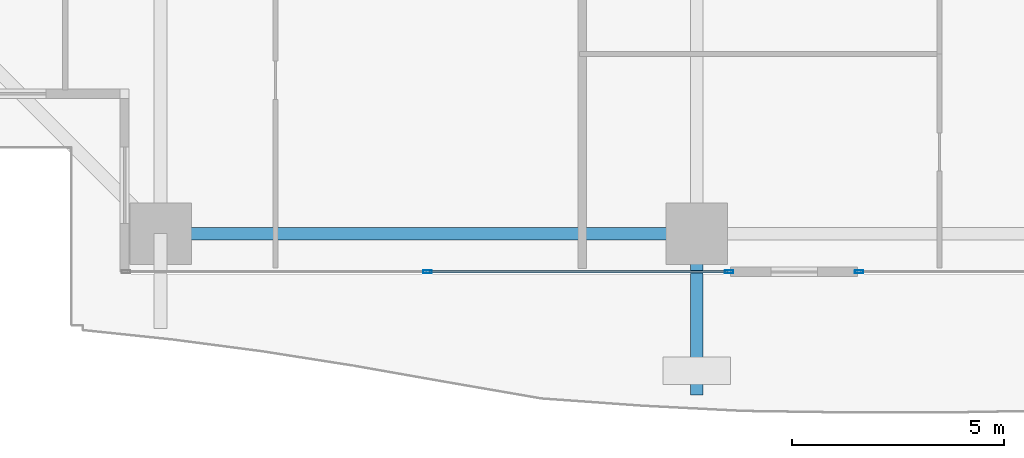
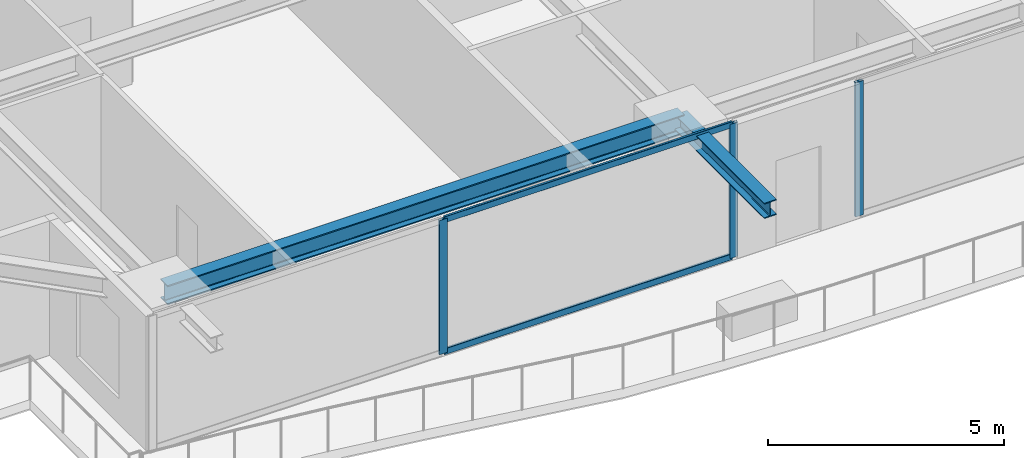
# One storey, part 5 of 41: 5 members, 2 beams, 2 elements without a shape of their own.
"""IFC4 building model written with IfcOpenShell, lengths in metres."""

from ifc_helpers import new_model, si_unit, direction, frame, origin, origin_2d, place, context, subcontext, project, spatial, hollow_rectangle, i_section, extrude, source, transform, mapped, material, layer, layer_set, material_profile, profile_set, type_object, element, aggregate, save


model = new_model("IFC4")

# Units and contexts
model_context = context("Model", 3, precision=1e-05, world=origin(), true_north=direction((0.0, 1.0)))
body_context = subcontext(model_context, "Body", "Model", "MODEL_VIEW")
ifc_project = project(units=[si_unit("LENGTHUNIT", "METRE"), si_unit("AREAUNIT", "SQUARE_METRE"), si_unit("VOLUMEUNIT", "CUBIC_METRE"), si_unit("PLANEANGLEUNIT", "RADIAN"), si_unit("MASSUNIT", "GRAM", prefix="KILO")], contexts=[model_context])

# Site, building, storey
site_placement = place(None, origin())
site = spatial("IfcSite", under=ifc_project, at=site_placement, CompositionType="ELEMENT")
building_placement = place(site_placement, origin())
building = spatial("IfcBuilding", under=site, at=building_placement, Name="Serunith Strait Residences", CompositionType="ELEMENT")
storey_placement = place(building_placement, frame((0.0, 0.0, 45.449951171875)))
storey = spatial("IfcBuildingStorey", under=building, at=storey_placement, Name="L10", CompositionType="ELEMENT", Elevation=45.449951171875)

# Beams
ifc_material_1 = material(Name="Steel S355J2", Category="steel")
ifc_material_profile_1 = material_profile(ifc_material_1, i_section(OverallWidth=0.300048828125, OverallDepth=0.5, WebThickness=0.014404296875, FlangeThickness=0.028076171875, FilletRadius=0.027099609375, at=origin_2d()), Name="HEB 500")
ifc_profile_set_1 = profile_set([ifc_material_profile_1], Name="Steel S355J2")
beam_type_1 = type_object("IfcBeamType", Name="BM-HEB500", PredefinedType="BEAM", material=ifc_profile_set_1)
shared_shape_1 = source(origin(), body_context, "Body", "SweptSolid", [
    extrude(i_section(OverallWidth=0.300048828125, OverallDepth=0.5, WebThickness=0.014404296875, FlangeThickness=0.028076171875, FilletRadius=0.027099609375, at=origin_2d()), origin(), (0.0, 0.0, 1.0), 12.64990234375),
])
beam_1_placement = place(storey_placement, frame((15.25, 1.10009765625, 3.237060546875), z_axis=(1.0, 0.0, 0.0), x_axis=(0.0, 1.0, 0.0)))
element("IfcBeam", 1, at=beam_1_placement, inside=storey, type_object=beam_type_1, Name="L10 Perimeter Ring Beam 01", PredefinedType="BEAM", context=body_context, shape_type="MappedRepresentation", body=[
    mapped(shared_shape_1, transform((0.0, 0.0, 0.0), scale=1.0)),
])
ifc_material_profile_2 = material_profile(ifc_material_1, i_section(OverallWidth=0.300048828125, OverallDepth=0.39990234375, WebThickness=0.013427734375, FlangeThickness=0.02392578125, FilletRadius=0.027099609375, at=origin_2d()), Name="HEB 400")
ifc_profile_set_2 = profile_set([ifc_material_profile_2], Name="Steel S355J2")
beam_type_2 = type_object("IfcBeamType", Name="BM-HEB400", PredefinedType="BEAM", material=ifc_profile_set_2)
shared_shape_2 = source(origin(), body_context, "Body", "SweptSolid", [
    extrude(i_section(OverallWidth=0.300048828125, OverallDepth=0.39990234375, WebThickness=0.013427734375, FlangeThickness=0.02392578125, FilletRadius=0.027099609375, at=origin_2d()), origin(), (0.0, 0.0, 1.0), 3.800048828125),
])
beam_2_placement = place(storey_placement, frame((27.89990234375, 1.10009765625, 3.257080078125), z_axis=(0.0, -1.0, 0.0), x_axis=(1.0, 0.0, 0.0)))
element("IfcBeam", 2, at=beam_2_placement, inside=storey, type_object=beam_type_2, Name="L11 Cantilevered Balcony Rib TC-S2", PredefinedType="BEAM", context=body_context, shape_type="MappedRepresentation", body=[
    mapped(shared_shape_2, transform((0.0, 0.0, 0.0), scale=1.0)),
])

# Curtain wall, members
ifc_material_2 = material(Name="Pale-Champagne Anodised Aluminium", Category="aluminium")
ifc_layer = layer(ifc_material_2, 0.199951171875, Name="Pale-Champagne Anodised Aluminium")
ifc_layer_set = layer_set([ifc_layer], Name="Pale-Champagne Anodised Aluminium")
curtain_wall_type = type_object("IfcCurtainWallType", Name="CW-SYS1", PredefinedType="NOTDEFINED", material=ifc_layer_set)
curtain_wall_1_placement = place(storey_placement, origin())
curtain_wall_1 = element("IfcCurtainWall", 3, at=curtain_wall_1_placement, inside=storey, type_object=curtain_wall_type, Name="L10 S Unitised Fritted Curtain Wall", PredefinedType="NOTDEFINED")
ifc_material_profile_3 = material_profile(ifc_material_2, hollow_rectangle(XDim=0.070068359375, YDim=0.199951171875, WallThickness=0.00390625, InnerFilletRadius=0.006103515625, OuterFilletRadius=0.010009765625, at=origin_2d()), Name="ALU 200x70x4")
ifc_profile_set_3 = profile_set([ifc_material_profile_3], Name="Pale-Champagne Anodised Aluminium")
member_type_1 = type_object("IfcMemberType", Name="CW-SYS1-MULL", PredefinedType="MULLION", material=ifc_profile_set_3)
shared_shape_3 = source(origin(), body_context, "Body", "SweptSolid", [
    extrude(hollow_rectangle(XDim=0.070068359375, YDim=0.199951171875, WallThickness=0.00390625, InnerFilletRadius=0.006103515625, OuterFilletRadius=0.010009765625, at=origin_2d()), origin(), (0.0, 0.0, 1.0), 3.47509765625),
])
member_1_placement = place(storey_placement, frame((21.550048828125, 0.199951171875, 0.0), z_axis=(0.0, 0.0, 1.0), x_axis=(0.0, 1.0, 0.0)))
member_1 = element("IfcMember", 4, at=member_1_placement, type_object=member_type_1, Name="CW-1 mullion 2", PredefinedType="MULLION", context=body_context, shape_type="MappedRepresentation", body=[
    mapped(shared_shape_3, transform((0.0, 0.0, 0.0), scale=1.0)),
])
member_2_placement = place(storey_placement, frame((28.6650390625, 0.199951171875, 0.0), z_axis=(0.0, 0.0, 1.0), x_axis=(0.0, 1.0, 0.0)))
member_2 = element("IfcMember", 5, at=member_2_placement, type_object=member_type_1, Name="CW-1 mullion 3", PredefinedType="MULLION", context=body_context, shape_type="MappedRepresentation", body=[
    mapped(shared_shape_3, transform((0.0, 0.0, 0.0), scale=1.0)),
])

# Curtain wall, member
curtain_wall_2_placement = place(storey_placement, origin())
curtain_wall_2 = element("IfcCurtainWall", 6, at=curtain_wall_2_placement, inside=storey, type_object=curtain_wall_type, Name="L10 S Unitised Fritted Curtain Wall", PredefinedType="NOTDEFINED")
member_3_placement = place(storey_placement, frame((31.735107421875, 0.199951171875, 0.0), z_axis=(0.0, 0.0, 1.0), x_axis=(0.0, 1.0, 0.0)))
member_3 = element("IfcMember", 7, at=member_3_placement, type_object=member_type_1, Name="CW-1 mullion 1", PredefinedType="MULLION", context=body_context, shape_type="MappedRepresentation", body=[
    mapped(shared_shape_3, transform((0.0, 0.0, 0.0), scale=1.0)),
])
aggregate(curtain_wall_2, [member_3])

# Member
ifc_material_profile_4 = material_profile(ifc_material_2, hollow_rectangle(XDim=0.06005859375, YDim=0.159912109375, WallThickness=0.00341796875, InnerFilletRadius=0.00537109375, OuterFilletRadius=0.0087890625, at=origin_2d()), Name="ALU 160x60x3.5")
ifc_profile_set_4 = profile_set([ifc_material_profile_4], Name="Pale-Champagne Anodised Aluminium")
member_type_2 = type_object("IfcMemberType", Name="CW-SYS1-TRAN", PredefinedType="USERDEFINED", material=ifc_profile_set_4)
shared_shape_4 = source(origin(), body_context, "Body", "SweptSolid", [
    extrude(hollow_rectangle(XDim=0.06005859375, YDim=0.159912109375, WallThickness=0.00341796875, InnerFilletRadius=0.00537109375, OuterFilletRadius=0.0087890625, at=origin_2d()), origin(), (0.0, 0.0, 1.0), 7.044921875),
])
member_4_placement = place(storey_placement, frame((21.5849609375, 0.199951171875, 0.030029296875), z_axis=(1.0, 0.0, 0.0), x_axis=(0.0, 1.0, 0.0)))
member_4 = element("IfcMember", 8, at=member_4_placement, type_object=member_type_2, Name="CW-1 transom 2.1", ObjectType="TRANSOM", PredefinedType="USERDEFINED", context=body_context, shape_type="MappedRepresentation", body=[
    mapped(shared_shape_4, transform((0.0, 0.0, 0.0), scale=1.0)),
])

member_5_placement = place(storey_placement, frame((21.5849609375, 0.199951171875, 3.445068359375), z_axis=(1.0, 0.0, 0.0), x_axis=(0.0, 1.0, 0.0)))
member_5 = element("IfcMember", 9, at=member_5_placement, type_object=member_type_2, Name="CW-1 transom 2.2", ObjectType="TRANSOM", PredefinedType="USERDEFINED", context=body_context, shape_type="MappedRepresentation", body=[
    mapped(shared_shape_4, transform((0.0, 0.0, 0.0), scale=1.0)),
])

aggregate(curtain_wall_1, [member_1, member_2, member_4, member_5])

save(model, "model.ifc")
